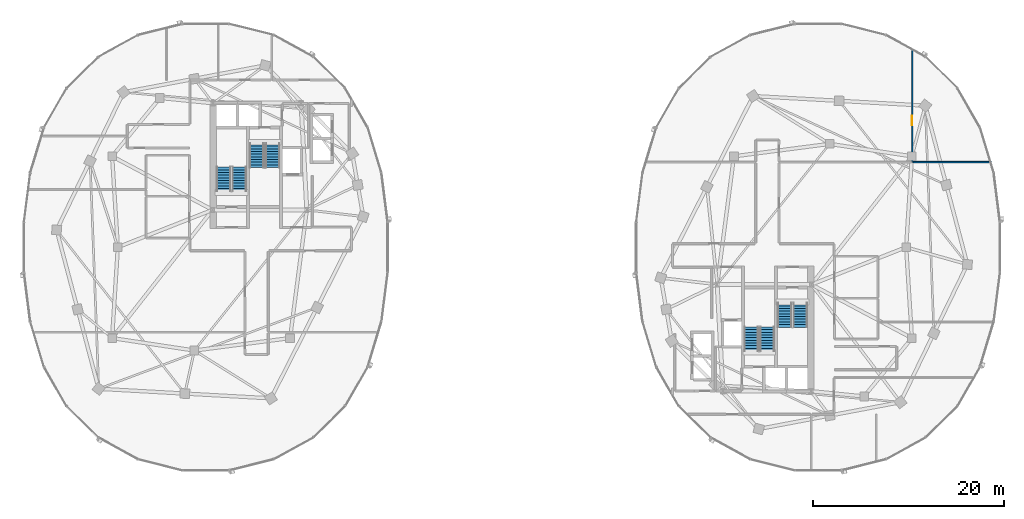
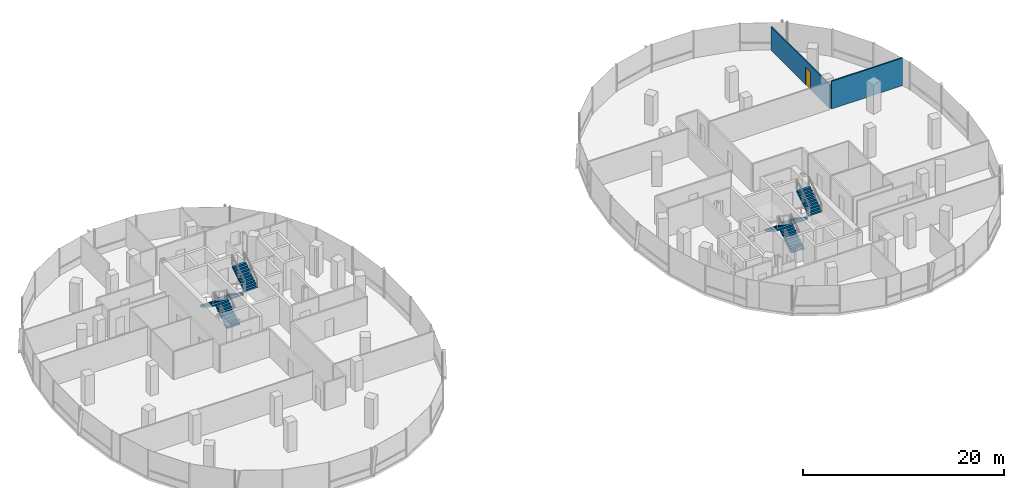
# One storey, part 15 of 22: 8 stair flights, 2 walls, 1 door, 1 opening, 4 elements without a shape of their own.
"""IFC4 building model written with IfcOpenShell, lengths in metres."""

from ifc_helpers import new_model, si_unit, direction, frame, frame_2d, origin, place, context, subcontext, project, spatial, polyline, rectangle, outline, extrude, material, layer, layer_set, type_object, element, fill, aggregate, save


model = new_model("IFC4")

# Units and contexts
model_context = context("Model", 3, precision=1e-05, world=origin(), true_north=direction((0.0, 1.0)))
body_context = subcontext(model_context, "Body", "Model", "MODEL_VIEW")
ifc_project = project(units=[si_unit("LENGTHUNIT", "METRE"), si_unit("AREAUNIT", "SQUARE_METRE"), si_unit("VOLUMEUNIT", "CUBIC_METRE"), si_unit("PLANEANGLEUNIT", "RADIAN"), si_unit("MASSUNIT", "GRAM", prefix="KILO"), si_unit("THERMODYNAMICTEMPERATUREUNIT", "KELVIN"), si_unit("POWERUNIT", "WATT")], contexts=[model_context])

# Site, building, storey
site_placement = place(None, origin())
site = spatial("IfcSite", under=ifc_project, at=site_placement, CompositionType="ELEMENT")
building_placement = place(site_placement, origin())
building = spatial("IfcBuilding", under=site, at=building_placement, Name="Cundina Bronze Exchange", CompositionType="ELEMENT")
storey_placement = place(building_placement, frame((0.0, 0.0, 158.39990234375)))
storey = spatial("IfcBuildingStorey", under=building, at=storey_placement, Name="L41", CompositionType="ELEMENT", Elevation=158.39990234375)

# Wall, opening, door
ifc_material_1 = material(Name="Gypsum Acoustic Partition EI60")
ifc_layer_1 = layer(ifc_material_1, 0.125, Name="Gypsum Acoustic Partition EI60")
ifc_layer_set_1 = layer_set([ifc_layer_1], Name="Gypsum Acoustic Partition EI60")
wall_type_1 = type_object("IfcWallType", Name="WL-OFF-125", PredefinedType="PARTITIONING", material=ifc_layer_set_1)
wall_1_placement = place(storey_placement, frame((41.830078125, 8.97998046875, 0.0), z_axis=(0.0, 0.0, 1.0), x_axis=(0.0, 1.0, 0.0)))
wall_1 = element("IfcWall", 1, at=wall_1_placement, inside=storey, type_object=wall_type_1, Name="L41 Interior Partition 081", PredefinedType="PARTITIONING", context=body_context, shape_type="SweptSolid", body=[
    extrude(rectangle(XDim=11.63818359375, YDim=0.125, at=frame_2d((5.819091796875, 0.0))), origin(), (0.0, 0.0, 1.0), 2.897216796875),
])
opening_placement = place(wall_1_placement, frame((3.759521484375, 0.0, 0.0)))
opening = element("IfcOpeningElement", 2, at=opening_placement, cuts=wall_1, Name="Opening DO-01", PredefinedType="OPENING", context=body_context, shape_type="SweptSolid", body=[
    extrude(rectangle(XDim=1.0, YDim=2.14990234375, at=frame_2d((0.5, 1.074951171875))), frame((0.0, 0.072509765625, 0.0), z_axis=(0.0, -1.0, 0.0), x_axis=(1.0, 0.0, 0.0)), (0.0, 0.0, 1.0), 0.14501953125),
])
ifc_material_2 = material(Name="Solid Andean Oak Timber Grade A", Category="wood")
door_type = type_object("IfcDoorType", Name="DR-OFF-1000", OperationType="NOTDEFINED", PredefinedType="DOOR", material=ifc_material_2)
door_placement = place(opening_placement, origin())
door = element("IfcDoor", 3, at=door_placement, inside=storey, type_object=door_type, Name="L41 Interior Door 081", OperationType="SINGLE_SWING_RIGHT", OverallHeight=2.14990234375, OverallWidth=1.0, PredefinedType="DOOR", context=body_context, shape_type="SweptSolid", body=[
    extrude(rectangle(XDim=1.0, YDim=2.14990234375, at=frame_2d((0.5, 1.074951171875))), frame((0.0, 0.02490234375, 0.0), z_axis=(0.0, -1.0, 0.0), x_axis=(1.0, 0.0, 0.0)), (0.0, 0.0, 1.0), 0.050048828125),
])
fill(opening, door)

# Wall
ifc_layer_2 = layer(ifc_material_1, 0.14990234375, Name="Gypsum Acoustic Partition EI60")
ifc_layer_set_2 = layer_set([ifc_layer_2], Name="Gypsum Acoustic Partition EI60")
wall_type_2 = type_object("IfcWallType", Name="WL-TEN-150", PredefinedType="PARTITIONING", material=ifc_layer_set_2)
wall_2_placement = place(storey_placement, frame((41.9150390625, 8.889892578125, 0.0), z_axis=(0.0, 0.0, 1.0), x_axis=(1.0, 0.0, 0.0)))
element("IfcWall", 4, at=wall_2_placement, inside=storey, type_object=wall_type_2, Name="L41 Interior Partition 059", PredefinedType="PARTITIONING", context=body_context, shape_type="SweptSolid", body=[
    extrude(rectangle(XDim=8.166748046875, YDim=0.14990234375, at=frame_2d((4.08349609375, 0.0))), origin(), (0.0, 0.0, 1.0), 3.360107421875),
])

# Stair, stair flights
ifc_material_3 = material(Name="Concrete C40/50", Category="concrete")
stair_type = type_object("IfcStairType", Name="STR-OFF-360", PredefinedType="HALF_TURN_STAIR", material=ifc_material_3)
stair_1_placement = place(storey_placement, origin())
stair_1 = element("IfcStair", 5, at=stair_1_placement, inside=storey, type_object=stair_type, Name="L41 Smokeproof Exit Stair W1", PredefinedType="HALF_TURN_STAIR")
stair_flight_type = type_object("IfcStairFlightType", Name="FLG-OFF-180", PredefinedType="STRAIGHT", material=ifc_material_3)
stair_flight_1_placement = place(storey_placement, frame((-28.489990234375, 5.85009765625, 0.0), z_axis=(0.0, 0.0, 1.0), x_axis=(0.0, 1.0, 0.0)))
stair_flight_1 = element("IfcStairFlight", 6, at=stair_flight_1_placement, type_object=stair_flight_type, Name="ST-W1 flight 1", NumberOfRisers=10, NumberOfTreads=9, PredefinedType="STRAIGHT", RiserHeight=0.18, TreadLength=0.28, context=body_context, shape_type="SweptSolid", body=[
    extrude(outline(polyline([(0.0, 0.0), (0.0, 0.179931640625), (0.280029296875, 0.179931640625), (0.280029296875, 0.360107421875), (0.56005859375, 0.360107421875), (0.56005859375, 0.5400390625), (0.840087890625, 0.5400390625), (0.840087890625, 0.719970703125), (1.1201171875, 0.719970703125), (1.1201171875, 0.89990234375), (1.39990234375, 0.89990234375), (1.39990234375, 1.080078125), (1.679931640625, 1.080078125), (1.679931640625, 1.260009765625), (1.9599609375, 1.260009765625), (1.9599609375, 1.43994140625), (2.239990234375, 1.43994140625), (2.239990234375, 1.6201171875), (2.52001953125, 1.6201171875), (2.52001953125, 1.800048828125), (2.52001953125, 1.44189453125), (0.277099609375, 0.0), (0.0, 0.0)])), frame((0.0, 0.75, 0.0), z_axis=(0.0, -1.0, 0.0), x_axis=(1.0, 0.0, 0.0)), (0.0, 0.0, 1.0), 1.5),
])
stair_flight_2_placement = place(storey_placement, frame((-30.14990234375, 8.3701171875, 1.800048828125), z_axis=(0.0, 0.0, 1.0), x_axis=(0.0, -1.0, 0.0)))
stair_flight_2 = element("IfcStairFlight", 7, at=stair_flight_2_placement, type_object=stair_flight_type, Name="ST-W1 flight 2", NumberOfRisers=10, NumberOfTreads=9, PredefinedType="STRAIGHT", RiserHeight=0.18, TreadLength=0.28, context=body_context, shape_type="SweptSolid", body=[
    extrude(outline(polyline([(0.0, 0.0), (0.0, 0.179931640625), (0.280029296875, 0.179931640625), (0.280029296875, 0.360107421875), (0.56005859375, 0.360107421875), (0.56005859375, 0.5400390625), (0.840087890625, 0.5400390625), (0.840087890625, 0.719970703125), (1.1201171875, 0.719970703125), (1.1201171875, 0.89990234375), (1.39990234375, 0.89990234375), (1.39990234375, 1.080078125), (1.679931640625, 1.080078125), (1.679931640625, 1.260009765625), (1.9599609375, 1.260009765625), (1.9599609375, 1.43994140625), (2.239990234375, 1.43994140625), (2.239990234375, 1.6201171875), (2.52001953125, 1.6201171875), (2.52001953125, 1.800048828125), (2.52001953125, 1.44189453125), (0.277099609375, 0.0), (0.0, 0.0)])), frame((0.0, 0.75, 0.0), z_axis=(0.0, -1.0, 0.0), x_axis=(1.0, 0.0, 0.0)), (0.0, 0.0, 1.0), 1.5),
])
aggregate(stair_1, [stair_flight_1, stair_flight_2])

stair_2_placement = place(storey_placement, origin())
stair_2 = element("IfcStair", 8, at=stair_2_placement, inside=storey, type_object=stair_type, Name="L41 Smokeproof Exit Stair W2", PredefinedType="HALF_TURN_STAIR")
stair_flight_3_placement = place(storey_placement, frame((-26.68994140625, 10.85009765625, 0.0), z_axis=(0.0, 0.0, 1.0), x_axis=(0.0, -1.0, 0.0)))
stair_flight_3 = element("IfcStairFlight", 9, at=stair_flight_3_placement, type_object=stair_flight_type, Name="ST-W2 flight 1", NumberOfRisers=10, NumberOfTreads=9, PredefinedType="STRAIGHT", RiserHeight=0.18, TreadLength=0.28, context=body_context, shape_type="SweptSolid", body=[
    extrude(outline(polyline([(0.0, 0.0), (0.0, 0.179931640625), (0.280029296875, 0.179931640625), (0.280029296875, 0.360107421875), (0.56005859375, 0.360107421875), (0.56005859375, 0.5400390625), (0.840087890625, 0.5400390625), (0.840087890625, 0.719970703125), (1.1201171875, 0.719970703125), (1.1201171875, 0.89990234375), (1.39990234375, 0.89990234375), (1.39990234375, 1.080078125), (1.679931640625, 1.080078125), (1.679931640625, 1.260009765625), (1.9599609375, 1.260009765625), (1.9599609375, 1.43994140625), (2.239990234375, 1.43994140625), (2.239990234375, 1.6201171875), (2.52001953125, 1.6201171875), (2.52001953125, 1.800048828125), (2.52001953125, 1.44189453125), (0.277099609375, 0.0), (0.0, 0.0)])), frame((0.0, 0.75, 0.0), z_axis=(0.0, -1.0, 0.0), x_axis=(1.0, 0.0, 0.0)), (0.0, 0.0, 1.0), 1.5),
])
stair_flight_4_placement = place(storey_placement, frame((-25.030029296875, 8.330078125, 1.800048828125), z_axis=(0.0, 0.0, 1.0), x_axis=(0.0, 1.0, 0.0)))
stair_flight_4 = element("IfcStairFlight", 10, at=stair_flight_4_placement, type_object=stair_flight_type, Name="ST-W2 flight 2", NumberOfRisers=10, NumberOfTreads=9, PredefinedType="STRAIGHT", RiserHeight=0.18, TreadLength=0.28, context=body_context, shape_type="SweptSolid", body=[
    extrude(outline(polyline([(0.0, 0.0), (0.0, 0.179931640625), (0.280029296875, 0.179931640625), (0.280029296875, 0.360107421875), (0.56005859375, 0.360107421875), (0.56005859375, 0.5400390625), (0.840087890625, 0.5400390625), (0.840087890625, 0.719970703125), (1.1201171875, 0.719970703125), (1.1201171875, 0.89990234375), (1.39990234375, 0.89990234375), (1.39990234375, 1.080078125), (1.679931640625, 1.080078125), (1.679931640625, 1.260009765625), (1.9599609375, 1.260009765625), (1.9599609375, 1.43994140625), (2.239990234375, 1.43994140625), (2.239990234375, 1.6201171875), (2.52001953125, 1.6201171875), (2.52001953125, 1.800048828125), (2.52001953125, 1.44189453125), (0.277099609375, 0.0), (0.0, 0.0)])), frame((0.0, 0.75, 0.0), z_axis=(0.0, -1.0, 0.0), x_axis=(1.0, 0.0, 0.0)), (0.0, 0.0, 1.0), 1.5),
])
aggregate(stair_2, [stair_flight_3, stair_flight_4])

stair_3_placement = place(storey_placement, origin())
stair_3 = element("IfcStair", 11, at=stair_3_placement, inside=storey, type_object=stair_type, Name="L41 Smokeproof Exit Stair E1", PredefinedType="HALF_TURN_STAIR")
stair_flight_5_placement = place(storey_placement, frame((28.489990234375, -5.85009765625, 0.0), z_axis=(0.0, 0.0, 1.0), x_axis=(0.0, -1.0, 0.0)))
stair_flight_5 = element("IfcStairFlight", 12, at=stair_flight_5_placement, type_object=stair_flight_type, Name="ST-E1 flight 1", NumberOfRisers=10, NumberOfTreads=9, PredefinedType="STRAIGHT", RiserHeight=0.18, TreadLength=0.28, context=body_context, shape_type="SweptSolid", body=[
    extrude(outline(polyline([(0.0, 0.0), (0.0, 0.179931640625), (0.280029296875, 0.179931640625), (0.280029296875, 0.360107421875), (0.56005859375, 0.360107421875), (0.56005859375, 0.5400390625), (0.840087890625, 0.5400390625), (0.840087890625, 0.719970703125), (1.1201171875, 0.719970703125), (1.1201171875, 0.89990234375), (1.39990234375, 0.89990234375), (1.39990234375, 1.080078125), (1.679931640625, 1.080078125), (1.679931640625, 1.260009765625), (1.9599609375, 1.260009765625), (1.9599609375, 1.43994140625), (2.239990234375, 1.43994140625), (2.239990234375, 1.6201171875), (2.52001953125, 1.6201171875), (2.52001953125, 1.800048828125), (2.52001953125, 1.44189453125), (0.277099609375, 0.0), (0.0, 0.0)])), frame((0.0, 0.75, 0.0), z_axis=(0.0, -1.0, 0.0), x_axis=(1.0, 0.0, 0.0)), (0.0, 0.0, 1.0), 1.5),
])
stair_flight_6_placement = place(storey_placement, frame((30.14990234375, -8.3701171875, 1.800048828125), z_axis=(0.0, 0.0, 1.0), x_axis=(0.0, 1.0, 0.0)))
stair_flight_6 = element("IfcStairFlight", 13, at=stair_flight_6_placement, type_object=stair_flight_type, Name="ST-E1 flight 2", NumberOfRisers=10, NumberOfTreads=9, PredefinedType="STRAIGHT", RiserHeight=0.18, TreadLength=0.28, context=body_context, shape_type="SweptSolid", body=[
    extrude(outline(polyline([(0.0, 0.0), (0.0, 0.179931640625), (0.280029296875, 0.179931640625), (0.280029296875, 0.360107421875), (0.56005859375, 0.360107421875), (0.56005859375, 0.5400390625), (0.840087890625, 0.5400390625), (0.840087890625, 0.719970703125), (1.1201171875, 0.719970703125), (1.1201171875, 0.89990234375), (1.39990234375, 0.89990234375), (1.39990234375, 1.080078125), (1.679931640625, 1.080078125), (1.679931640625, 1.260009765625), (1.9599609375, 1.260009765625), (1.9599609375, 1.43994140625), (2.239990234375, 1.43994140625), (2.239990234375, 1.6201171875), (2.52001953125, 1.6201171875), (2.52001953125, 1.800048828125), (2.52001953125, 1.44189453125), (0.277099609375, 0.0), (0.0, 0.0)])), frame((0.0, 0.75, 0.0), z_axis=(0.0, -1.0, 0.0), x_axis=(1.0, 0.0, 0.0)), (0.0, 0.0, 1.0), 1.5),
])
aggregate(stair_3, [stair_flight_5, stair_flight_6])

stair_4_placement = place(storey_placement, origin())
stair_4 = element("IfcStair", 14, at=stair_4_placement, inside=storey, type_object=stair_type, Name="L41 Smokeproof Exit Stair E2", PredefinedType="HALF_TURN_STAIR")
stair_flight_7_placement = place(storey_placement, frame((26.68994140625, -10.85009765625, 0.0), z_axis=(0.0, 0.0, 1.0), x_axis=(0.0, 1.0, 0.0)))
stair_flight_7 = element("IfcStairFlight", 15, at=stair_flight_7_placement, type_object=stair_flight_type, Name="ST-E2 flight 1", NumberOfRisers=10, NumberOfTreads=9, PredefinedType="STRAIGHT", RiserHeight=0.18, TreadLength=0.28, context=body_context, shape_type="SweptSolid", body=[
    extrude(outline(polyline([(0.0, 0.0), (0.0, 0.179931640625), (0.280029296875, 0.179931640625), (0.280029296875, 0.360107421875), (0.56005859375, 0.360107421875), (0.56005859375, 0.5400390625), (0.840087890625, 0.5400390625), (0.840087890625, 0.719970703125), (1.1201171875, 0.719970703125), (1.1201171875, 0.89990234375), (1.39990234375, 0.89990234375), (1.39990234375, 1.080078125), (1.679931640625, 1.080078125), (1.679931640625, 1.260009765625), (1.9599609375, 1.260009765625), (1.9599609375, 1.43994140625), (2.239990234375, 1.43994140625), (2.239990234375, 1.6201171875), (2.52001953125, 1.6201171875), (2.52001953125, 1.800048828125), (2.52001953125, 1.44189453125), (0.277099609375, 0.0), (0.0, 0.0)])), frame((0.0, 0.75, 0.0), z_axis=(0.0, -1.0, 0.0), x_axis=(1.0, 0.0, 0.0)), (0.0, 0.0, 1.0), 1.5),
])
stair_flight_8_placement = place(storey_placement, frame((25.030029296875, -8.330078125, 1.800048828125), z_axis=(0.0, 0.0, 1.0), x_axis=(0.0, -1.0, 0.0)))
stair_flight_8 = element("IfcStairFlight", 16, at=stair_flight_8_placement, type_object=stair_flight_type, Name="ST-E2 flight 2", NumberOfRisers=10, NumberOfTreads=9, PredefinedType="STRAIGHT", RiserHeight=0.18, TreadLength=0.28, context=body_context, shape_type="SweptSolid", body=[
    extrude(outline(polyline([(0.0, 0.0), (0.0, 0.179931640625), (0.280029296875, 0.179931640625), (0.280029296875, 0.360107421875), (0.56005859375, 0.360107421875), (0.56005859375, 0.5400390625), (0.840087890625, 0.5400390625), (0.840087890625, 0.719970703125), (1.1201171875, 0.719970703125), (1.1201171875, 0.89990234375), (1.39990234375, 0.89990234375), (1.39990234375, 1.080078125), (1.679931640625, 1.080078125), (1.679931640625, 1.260009765625), (1.9599609375, 1.260009765625), (1.9599609375, 1.43994140625), (2.239990234375, 1.43994140625), (2.239990234375, 1.6201171875), (2.52001953125, 1.6201171875), (2.52001953125, 1.800048828125), (2.52001953125, 1.44189453125), (0.277099609375, 0.0), (0.0, 0.0)])), frame((0.0, 0.75, 0.0), z_axis=(0.0, -1.0, 0.0), x_axis=(1.0, 0.0, 0.0)), (0.0, 0.0, 1.0), 1.5),
])
aggregate(stair_4, [stair_flight_7, stair_flight_8])

save(model, "model.ifc")
